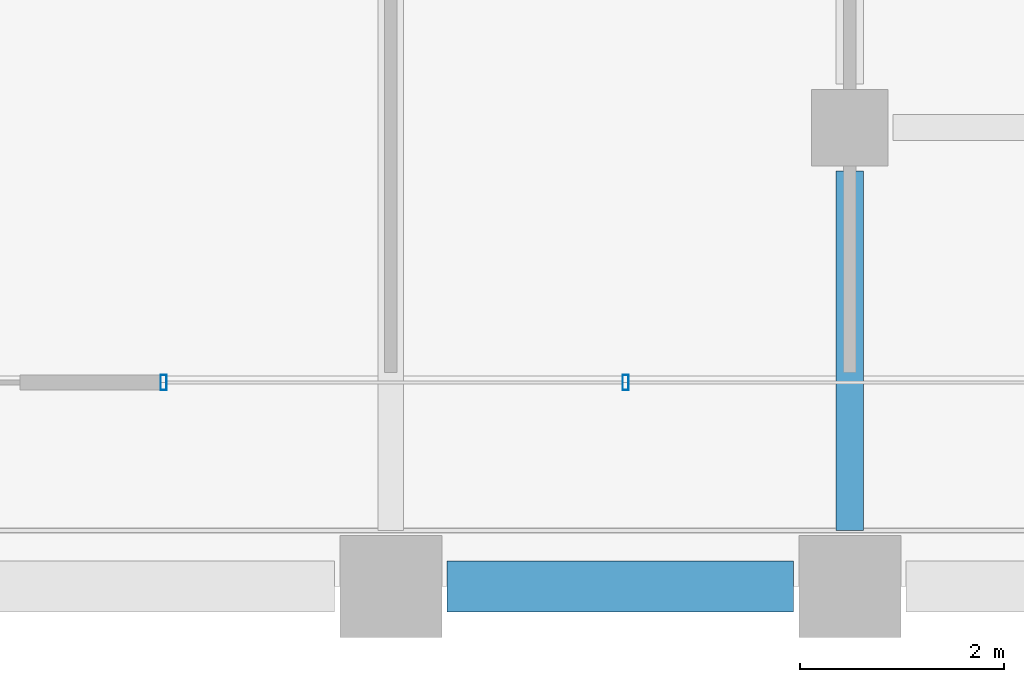
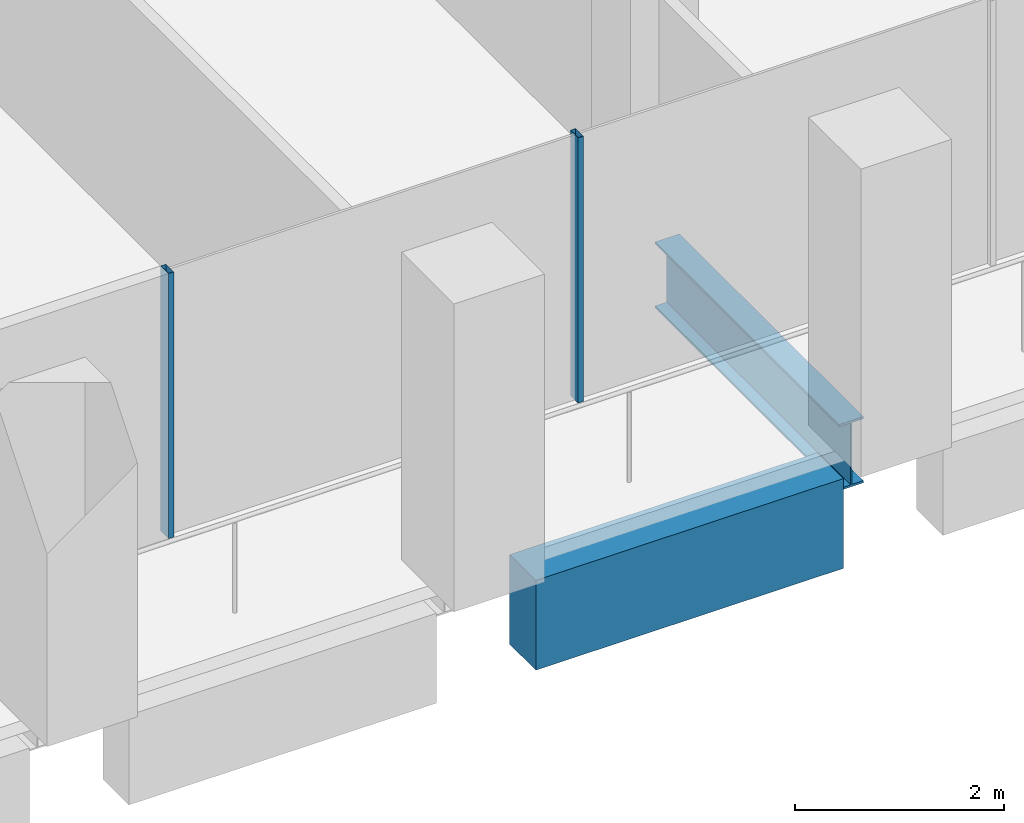
# One storey, part 9 of 52: 2 beams, 2 members, 1 element without a shape of its own.
"""IFC4 building model written with IfcOpenShell, lengths in metres."""

import ifcopenshell
import ifcopenshell.guid

model = None  # the IFC model being written
_history = None  # IfcOwnerHistory: only IFC2X3 demands one
_inside = {}  # id of a spatial element -> (the spatial element, [elements in it])
_under = {}  # id of a project, library or spatial element -> (it, [spatial elements below it])
_declared = {}  # id of a project -> (the project, [libraries it declares])
_typed = {}  # id of a type object -> (the type object, [elements of that type])
_made_of = {}  # id of a material, layer set ... -> (it, [elements and type objects made of it])


def new_model(schema):
    """Start an empty IFC model of exactly this schema.

    Asked for "IFC4X3", IfcOpenShell would pick the latest addendum, in which some entities
    have other attributes; the version numbers below select the first issue.
    IFC2X3 requires an IfcOwnerHistory on every rooted entity: one is made here for all.
    """
    global model, _history
    if schema == "IFC4X3":
        model = ifcopenshell.file(schema_version=(4, 3, 0, 0))
    else:
        model = ifcopenshell.file(schema=schema)
    _inside.clear()
    _under.clear()
    _declared.clear()
    _typed.clear()
    _made_of.clear()
    _history = None
    if model.schema == "IFC2X3":
        org = make("IfcOrganization", Name="unknown")
        user = make(
            "IfcPersonAndOrganization",
            ThePerson=make("IfcPerson", FamilyName="unknown"),
            TheOrganization=org,
        )
        app = make(
            "IfcApplication",
            ApplicationDeveloper=org,
            Version="unknown",
            ApplicationFullName="unknown",
            ApplicationIdentifier="unknown",
        )
        _history = make(
            "IfcOwnerHistory",
            OwningUser=user,
            OwningApplication=app,
            ChangeAction="ADDED",
            CreationDate=0,
        )
    return model


def make(cls, **values):
    """One entity of the class cls with the attributes given. An attribute that is None is left unset."""
    return model.create_entity(
        cls, **{name: value for name, value in values.items() if value is not None}
    )


def rooted(cls, **values):
    """An entity with a GlobalId (a new one), such as an element, a storey or a relation."""
    return make(cls, GlobalId=ifcopenshell.guid.new(), OwnerHistory=_history, **values)


def si_unit(unit_type, name, prefix=None):
    """IfcSIUnit, for example si_unit("LENGTHUNIT", "METRE", prefix="MILLI")."""
    return make("IfcSIUnit", UnitType=unit_type, Prefix=prefix, Name=name)


def assignment(units):
    """IfcUnitAssignment: the units of a project."""
    return None if units is None else make("IfcUnitAssignment", Units=units)


def point(xyz):
    """IfcCartesianPoint."""
    return None if xyz is None else make("IfcCartesianPoint", Coordinates=xyz)


def direction(xyz):
    """IfcDirection."""
    return None if xyz is None else make("IfcDirection", DirectionRatios=xyz)


def frame(location, z_axis=None, x_axis=None):
    """IfcAxis2Placement3D, a coordinate frame: its origin and axes. An axis left out is left unset."""
    return make(
        "IfcAxis2Placement3D",
        Location=point(location),
        Axis=direction(z_axis),
        RefDirection=direction(x_axis),
    )


def frame_2d(location, x_axis=None):
    """IfcAxis2Placement2D, a coordinate frame in the plane: its origin and x axis."""
    return make(
        "IfcAxis2Placement2D", Location=point(location), RefDirection=direction(x_axis)
    )


def origin():
    """The frame at (0, 0, 0) with its axes left unset."""
    return frame((0.0, 0.0, 0.0))


def origin_2d():
    """The frame at (0, 0) in the plane with its x axis left unset."""
    return frame_2d((0.0, 0.0))


def place(relative_to, where):
    """IfcLocalPlacement: puts the frame where relative to a parent placement (None: the world)."""
    return make(
        "IfcLocalPlacement", PlacementRelTo=relative_to, RelativePlacement=where
    )


def context(
    kind, dimensions, precision=None, world=None, true_north=None, identifier=None
):
    """IfcGeometricRepresentationContext, for example the 3D "Model" context."""
    return make(
        "IfcGeometricRepresentationContext",
        ContextIdentifier=identifier,
        ContextType=kind,
        CoordinateSpaceDimension=dimensions,
        Precision=precision,
        WorldCoordinateSystem=world,
        TrueNorth=true_north,
    )


def subcontext(parent, identifier, kind, view, scale=None):
    """IfcGeometricRepresentationSubContext, for example "Body" below "Model"."""
    return make(
        "IfcGeometricRepresentationSubContext",
        ContextIdentifier=identifier,
        ContextType=kind,
        ParentContext=parent,
        TargetScale=scale,
        TargetView=view,
    )


def project(units=None, contexts=None):
    """IfcProject with its units and contexts."""
    return rooted(
        "IfcProject",
        Name="project",
        RepresentationContexts=contexts,
        UnitsInContext=assignment(units),
    )


def spatial(cls, under=None, at=None, **own):
    """A site, building, storey or space (cls), placed at a placement, below another one or the project."""
    s = rooted(cls, ObjectPlacement=at, **own)
    if under is not None:
        _under.setdefault(under.id(), (under, []))[1].append(s)
    return s


def profile(cls, at=None, kind="AREA", **sizes):
    """A parametric profile (cls). Its sizes go by their IFC names, for example OverallWidth=200.0."""
    return make(cls, ProfileType=kind, Position=at, **sizes)


def rectangle(**sizes):
    """IfcRectangleProfileDef."""
    return profile("IfcRectangleProfileDef", **sizes)


def hollow_rectangle(**sizes):
    """IfcRectangleHollowProfileDef."""
    return profile("IfcRectangleHollowProfileDef", **sizes)


def i_section(**sizes):
    """IfcIShapeProfileDef."""
    return profile("IfcIShapeProfileDef", **sizes)


def extrude(swept, where, along, depth):
    """IfcExtrudedAreaSolid: the profile swept, set in the frame where, extruded along a direction by depth."""
    return make(
        "IfcExtrudedAreaSolid",
        SweptArea=swept,
        Position=where,
        ExtrudedDirection=direction(along),
        Depth=depth,
    )


def shape(context_of_items, identifier, shape_type, items):
    """IfcShapeRepresentation: the items that make up one representation, for example the "Body"."""
    return make(
        "IfcShapeRepresentation",
        ContextOfItems=context_of_items,
        RepresentationIdentifier=identifier,
        RepresentationType=shape_type,
        Items=items,
    )


def material(Name=None, Category=None):
    """IfcMaterial."""
    return make("IfcMaterial", Name=Name, Category=Category)


def material_profile(
    of_material, cross_section, Name=None, Category=None, Priority=None
):
    """IfcMaterialProfile: a cross section and its material."""
    return make(
        "IfcMaterialProfile",
        Name=Name,
        Material=of_material,
        Profile=cross_section,
        Priority=Priority,
        Category=Category,
    )


def profile_set(profiles, Name=None, composite=None):
    """IfcMaterialProfileSet."""
    return make(
        "IfcMaterialProfileSet",
        Name=Name,
        MaterialProfiles=profiles,
        CompositeProfile=composite,
    )


def made_of(thing, what):
    """Note that an element or type object is made of a material, layer set ...; save() writes the relation."""
    if what is not None:
        _made_of.setdefault(what.id(), (what, []))[1].append(thing)
    return thing


def type_object(cls, material=None, **own):
    """A type object (cls), such as IfcWallType, which elements share."""
    return made_of(rooted(cls, **own), material)


def element(
    cls,
    number,
    at=None,
    inside=None,
    cuts=None,
    type_object=None,
    material=None,
    context=None,
    identifier="Body",
    shape_type=None,
    held_by="IfcProductDefinitionShape",
    body=None,
    shapes=None,
    **own,
):
    """One element of the class cls, such as IfcWall. Its Tag is "e" and its number.

    at: its placement. inside: the storey or other place that contains it. cuts: it is an
    opening in that element (IfcRelVoidsElement). A single representation is given by context,
    identifier, shape_type and body (its items); several are given by shapes. held_by: the class
    of the entity that holds the representations. save() writes the other relations.
    """
    e = rooted(cls, Tag="e%d" % number, ObjectPlacement=at, **own)
    if body is not None:
        shapes = [shape(context, identifier, shape_type, body)]
    if shapes is not None:
        e.Representation = make(held_by, Representations=shapes)
    if inside is not None:
        _inside.setdefault(inside.id(), (inside, []))[1].append(e)
    if cuts is not None:
        rooted(
            "IfcRelVoidsElement", RelatingBuildingElement=cuts, RelatedOpeningElement=e
        )
    if type_object is not None:
        _typed.setdefault(type_object.id(), (type_object, []))[1].append(e)
    return made_of(e, material)


def aggregate(whole, parts):
    """IfcRelAggregates: a whole, such as a stair, and the parts it consists of."""
    return rooted("IfcRelAggregates", RelatingObject=whole, RelatedObjects=parts)


def save(model, path):
    """Write the relations noted so far, then the file.

    IfcRelAggregates (storeys below a building ...), IfcRelContainedInSpatialStructure (elements
    in a storey), IfcRelDefinesByType, IfcRelAssociatesMaterial and IfcRelDeclares: one each for
    every whole, place, type object, material and project.
    """
    for whole, parts in _under.values():
        aggregate(whole, parts)
    for where, things in _inside.values():
        rooted(
            "IfcRelContainedInSpatialStructure",
            RelatedElements=things,
            RelatingStructure=where,
        )
    for kind, things in _typed.values():
        rooted("IfcRelDefinesByType", RelatedObjects=things, RelatingType=kind)
    for what, things in _made_of.values():
        rooted("IfcRelAssociatesMaterial", RelatedObjects=things, RelatingMaterial=what)
    for by, libraries in _declared.values():
        rooted("IfcRelDeclares", RelatingContext=by, RelatedDefinitions=libraries)
    model.write(path)


model = new_model("IFC4")

# Units and contexts
model_context = context("Model", 3, precision=1e-05, world=origin(), true_north=direction((0.0, 1.0)))
body_context = subcontext(model_context, "Body", "Model", "MODEL_VIEW")
ifc_project = project(units=[si_unit("LENGTHUNIT", "METRE"), si_unit("AREAUNIT", "SQUARE_METRE"), si_unit("VOLUMEUNIT", "CUBIC_METRE"), si_unit("PLANEANGLEUNIT", "RADIAN"), si_unit("MASSUNIT", "GRAM", prefix="KILO")], contexts=[model_context])

# Site, building, storey
site_placement = place(None, origin())
site = spatial("IfcSite", under=ifc_project, at=site_placement, CompositionType="ELEMENT")
building_placement = place(site_placement, origin())
building = spatial("IfcBuilding", under=site, at=building_placement, Name="Altepetl Exchange Towers", CompositionType="ELEMENT")
storey_placement = place(building_placement, frame((0.0, 0.0, 92.0)))
storey = spatial("IfcBuildingStorey", under=building, at=storey_placement, Name="L22", CompositionType="ELEMENT", Elevation=92.0)

# Beam
ifc_material_1 = material(Name="Steel S355", Category="steel")
ifc_material_profile_1 = material_profile(ifc_material_1, i_section(OverallWidth=0.26806640625, OverallDepth=0.77392578125, WebThickness=0.015380859375, FlangeThickness=0.025390625, at=origin_2d()), Name="W30X132")
ifc_profile_set_1 = profile_set([ifc_material_profile_1], Name="Steel S355")
beam_type_1 = type_object("IfcBeamType", Name="Girder W30X132", PredefinedType="BEAM", material=ifc_profile_set_1)
beam_1_placement = place(storey_placement, frame((58.5, 31.074951171875, -0.537109375), z_axis=(0.0, -1.0, 0.0), x_axis=(1.0, 0.0, 0.0)))
element("IfcBeam", 1, at=beam_1_placement, inside=storey, type_object=beam_type_1, Name="gd:A:L22:005", PredefinedType="BEAM", context=body_context, shape_type="SweptSolid", body=[
    extrude(i_section(OverallWidth=0.26806640625, OverallDepth=0.77392578125, WebThickness=0.015380859375, FlangeThickness=0.025390625, at=origin_2d()), origin(), (0.0, 0.0, 1.0), 3.52490234375),
])

# Curtain wall, members
ifc_material_2 = material(Name="Aluminium 6063-T6 glazing", Category="aluminium")
curtain_wall_type = type_object("IfcCurtainWallType", Name="Loggia glazing system", PredefinedType="NOTDEFINED", material=ifc_material_2)
curtain_wall_placement = place(storey_placement, origin())
curtain_wall = element("IfcCurtainWall", 2, at=curtain_wall_placement, inside=storey, type_object=curtain_wall_type, Name="CW1 run", PredefinedType="NOTDEFINED")
ifc_material_3 = material(Name="Aluminium 6063-T6", Category="aluminium")
ifc_material_profile_2 = material_profile(ifc_material_3, hollow_rectangle(XDim=0.06005859375, YDim=0.14990234375, WallThickness=0.0029296875, at=origin_2d()), Name="Mullion 60x150 aluminium")
ifc_profile_set_2 = profile_set([ifc_material_profile_2], Name="Aluminium 6063-T6")
member_type = type_object("IfcMemberType", Name="Mullion 60x150 aluminium", PredefinedType="MULLION", material=ifc_profile_set_2)
member_1_placement = place(storey_placement, frame((51.77294921875, 29.0, 0.0)))
member_1 = element("IfcMember", 3, at=member_1_placement, type_object=member_type, Name="MU1 mullion", PredefinedType="MULLION", context=body_context, shape_type="SweptSolid", body=[
    extrude(hollow_rectangle(XDim=0.06005859375, YDim=0.14990234375, WallThickness=0.0029296875, at=origin_2d()), origin(), (0.0, 0.0, 1.0), 3.10009765625),
])
member_2_placement = place(storey_placement, frame((56.303466796875, 29.0, 0.0)))
member_2 = element("IfcMember", 4, at=member_2_placement, type_object=member_type, Name="MU1 mullion", PredefinedType="MULLION", context=body_context, shape_type="SweptSolid", body=[
    extrude(hollow_rectangle(XDim=0.06005859375, YDim=0.14990234375, WallThickness=0.0029296875, at=origin_2d()), origin(), (0.0, 0.0, 1.0), 3.10009765625),
])
aggregate(curtain_wall, [member_1, member_2])

# Beam
ifc_material_4 = material(Name="Concrete C50/60 precast with cantera blanca facing", Category="concrete")
ifc_material_profile_3 = material_profile(ifc_material_4, rectangle(XDim=0.5, YDim=1.050048828125, at=origin_2d()), Name="500 x 1050")
ifc_profile_set_3 = profile_set([ifc_material_profile_3], Name="Concrete C50/60 precast with cantera blanca facing")
beam_type_2 = type_object("IfcBeamType", Name="Spandrel beam 500x1050 cantera blanca", PredefinedType="SPANDREL", material=ifc_profile_set_3)
beam_2_placement = place(storey_placement, frame((54.550048828125, 27.0, -0.675048828125), z_axis=(1.0, 0.0, 0.0), x_axis=(0.0, 1.0, 0.0)))
element("IfcBeam", 5, at=beam_2_placement, inside=storey, type_object=beam_type_2, Name="sp:A:L22:005", PredefinedType="SPANDREL", context=body_context, shape_type="SweptSolid", body=[
    extrude(rectangle(XDim=0.5, YDim=1.050048828125, at=origin_2d()), origin(), (0.0, 0.0, 1.0), 3.39990234375),
])

save(model, "model.ifc")
